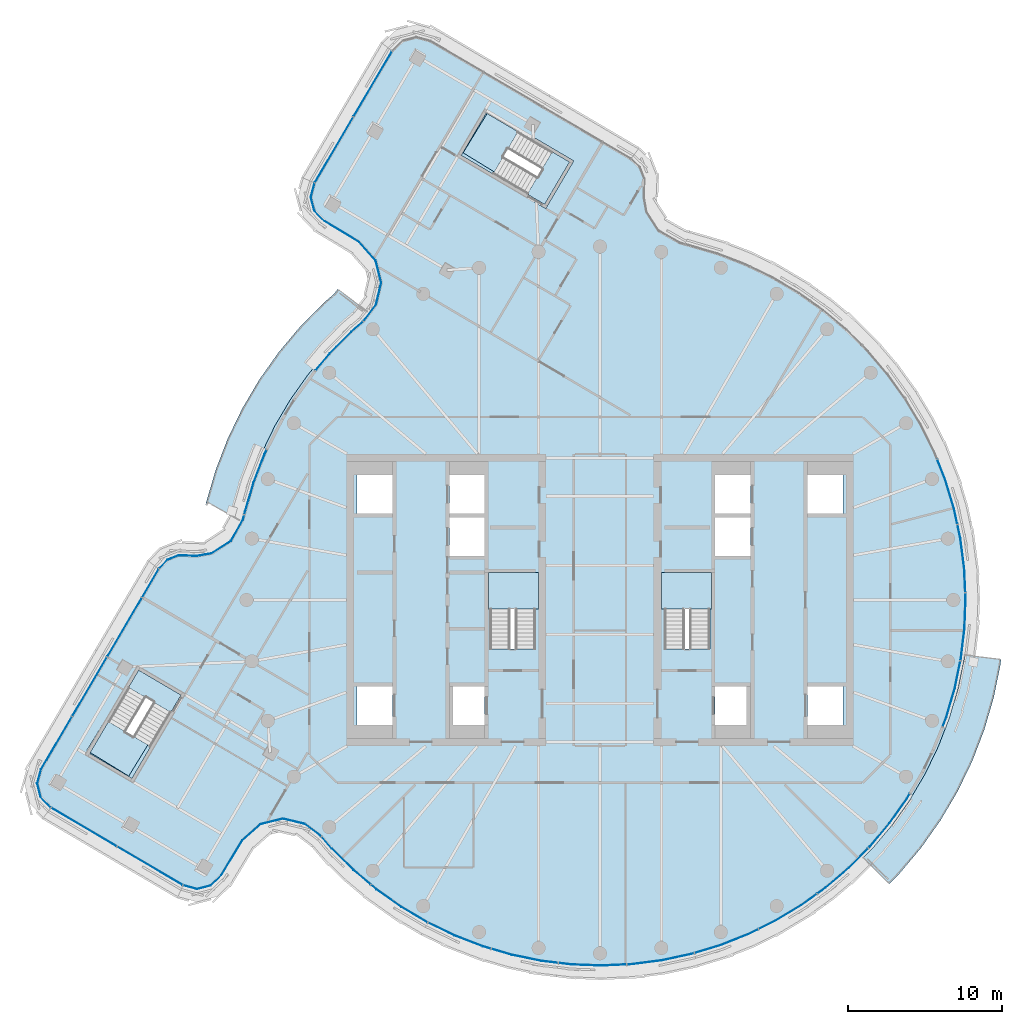
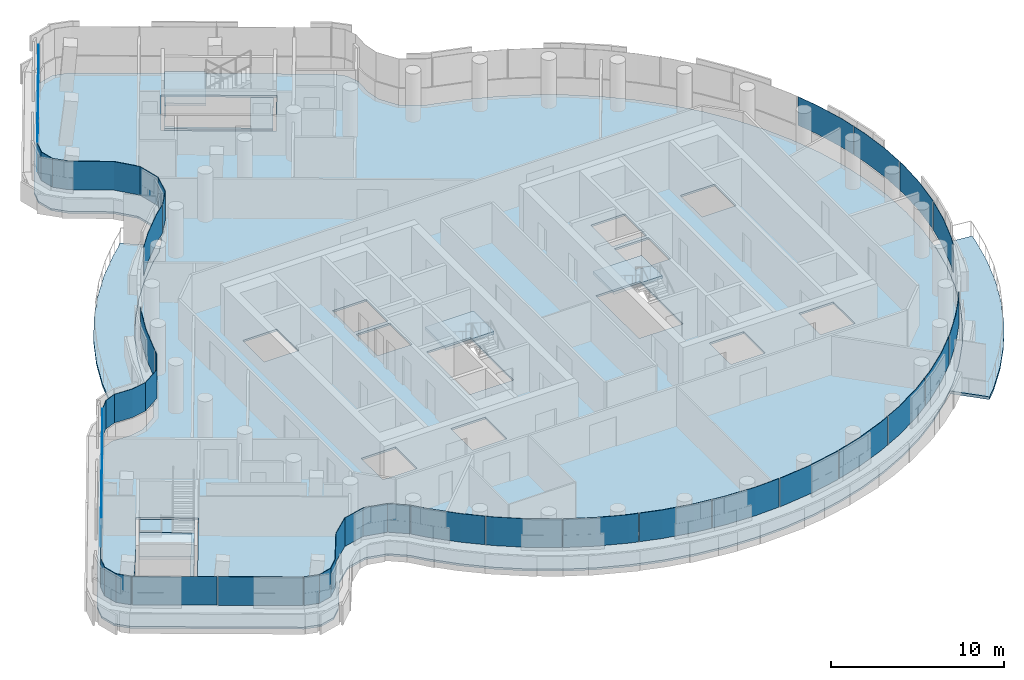
# One storey, part 15 of 26: 27 plates, 9 slabs, 9 elements without a shape of their own.
"""IFC4 building model written with IfcOpenShell, lengths in metres."""

from ifc_helpers import new_model, si_unit, direction, frame, origin, place, context, subcontext, project, spatial, polyline, outline, extrude, material, layer, layer_set, type_object, element, aggregate, save


model = new_model("IFC4")

# Units and contexts
model_context = context("Model", 3, precision=1e-05, world=origin(), true_north=direction((0.0, 1.0)))
body_context = subcontext(model_context, "Body", "Model", "MODEL_VIEW")
ifc_project = project(units=[si_unit("LENGTHUNIT", "METRE"), si_unit("AREAUNIT", "SQUARE_METRE"), si_unit("VOLUMEUNIT", "CUBIC_METRE"), si_unit("PLANEANGLEUNIT", "RADIAN"), si_unit("MASSUNIT", "GRAM", prefix="KILO")], contexts=[model_context])

# Site, building, storey
site_placement = place(None, origin())
site = spatial("IfcSite", under=ifc_project, at=site_placement, CompositionType="ELEMENT")
building_placement = place(site_placement, origin())
building = spatial("IfcBuilding", under=site, at=building_placement, Name="Tamarind Cross Interchange Tower", CompositionType="ELEMENT")
storey_placement = place(building_placement, frame((0.0, 0.0, 248.699951171875)))
storey = spatial("IfcBuildingStorey", under=building, at=storey_placement, Name="L63", CompositionType="ELEMENT", Elevation=248.699951171875)

# Slabs
ifc_material_1 = material(Name="Precast concrete C40", Category="concrete")
ifc_layer_1 = layer(ifc_material_1, 0.199951171875)
ifc_layer_set_1 = layer_set([ifc_layer_1], Name="Precast concrete C40")
slab_type_1 = type_object("IfcSlabType", Name="Balcony slab", PredefinedType="BASESLAB", material=ifc_layer_set_1)
slab_1_placement = place(storey_placement, frame((0.0, 0.0, -0.199951171875)))
element("IfcSlab", 1, at=slab_1_placement, inside=storey, type_object=slab_type_1, Name="SLB-L63-BAL01", PredefinedType="BASESLAB", context=body_context, shape_type="SweptSolid", body=[
    extrude(outline(polyline([(17.136474609375, -16.7685546875), (17.72412109375, -16.17578125), (18.99951171875, -14.656982421875), (20.14501953125, -13.0380859375), (21.15283203125, -11.329833984375), (22.01611328125, -9.54443359375), (22.72900390625, -7.69384765625), (23.286865234375, -5.79052734375), (23.685546875, -3.84765625), (23.716552734375, -3.58837890625), (26.099365234375, -3.875), (26.056396484375, -4.23291015625), (25.617919921875, -6.3701171875), (25.00439453125, -8.4638671875), (24.219970703125, -10.499755859375), (23.270263671875, -12.464111328125), (22.161376953125, -14.343017578125), (20.9013671875, -16.124267578125), (19.498291015625, -17.795166015625), (18.8408203125, -18.458251953125), (17.136474609375, -16.7685546875)])), origin(), (0.0, 0.0, 1.0), 0.199951171875),
])
slab_2_placement = place(storey_placement, frame((0.0, 0.0, -0.199951171875)))
element("IfcSlab", 2, at=slab_2_placement, inside=storey, type_object=slab_type_1, Name="SLB-L63-BAL04", PredefinedType="BASESLAB", context=body_context, shape_type="SweptSolid", body=[
    extrude(outline(polyline([(-15.15185546875, 18.774658203125), (-15.5458984375, 18.2578125), (-16.327880859375, 17.584228515625), (-17.72412109375, 16.17578125), (-18.99951171875, 14.656982421875), (-20.14501953125, 13.0380859375), (-21.15283203125, 11.329833984375), (-22.01611328125, 9.54443359375), (-22.72900390625, 7.69384765625), (-23.286865234375, 5.79052734375), (-23.420654296875, 5.2880859375), (-23.47119140625, 5.19873046875), (-25.558837890625, 6.382568359375), (-25.660400390625, 6.20361328125), (-25.598388671875, 6.436767578125), (-25.00439453125, 8.4638671875), (-24.219970703125, 10.499755859375), (-23.270263671875, 12.464111328125), (-22.161376953125, 14.343017578125), (-20.9013671875, 16.124267578125), (-19.498291015625, 17.795166015625), (-17.965576171875, 19.341064453125), (-17.30224609375, 19.91259765625), (-17.060302734375, 20.229736328125), (-15.15185546875, 18.774658203125)])), origin(), (0.0, 0.0, 1.0), 0.199951171875),
])
ifc_material_2 = material(Name="Concrete C35", Category="concrete")
ifc_layer_2 = layer(ifc_material_2, 0.139892578125)
ifc_layer_set_2 = layer_set([ifc_layer_2], Name="Concrete C35")
slab_type_2 = type_object("IfcSlabType", Name="Composite slab 140 Concrete C35", PredefinedType="FLOOR", material=ifc_layer_set_2)
slab_3_placement = place(storey_placement, frame((0.0, 0.0, -0.139892578125)))
element("IfcSlab", 3, at=slab_3_placement, inside=storey, type_object=slab_type_2, Name="Floor slab L63", PredefinedType="FLOOR", context=body_context, shape_type="SweptSolid", body=[
    extrude(outline(polyline([(-28.2587890625, 2.782470703125), (-28.8623046875, 2.139404296875), (-36.552490234375, -10.9443359375), (-36.828369140625, -11.942138671875), (-36.568115234375, -12.944091796875), (-35.841796875, -13.681884765625), (-27.220703125, -18.749267578125), (-26.222900390625, -19.02490234375), (-25.220703125, -18.764892578125), (-24.483154296875, -18.03857421875), (-23.12744140625, -15.78759765625), (-21.9970703125, -14.779541015625), (-20.64404296875, -14.441162109375), (-19.28662109375, -14.761474609375), (-18.2578125, -15.5458984375), (-17.584228515625, -16.327880859375), (-16.17578125, -17.72412109375), (-14.656982421875, -18.99951171875), (-13.0380859375, -20.14501953125), (-11.329833984375, -21.15283203125), (-9.54443359375, -22.01611328125), (-7.693603515625, -22.72900390625), (-5.79052734375, -23.286865234375), (-3.84765625, -23.685546875), (-1.878662109375, -23.92236328125), (0.103271484375, -23.99560546875), (2.08447265625, -23.9052734375), (4.051513671875, -23.651611328125), (5.99072265625, -23.236083984375), (7.88916015625, -22.662109375), (9.7333984375, -21.93310546875), (11.511474609375, -21.054443359375), (13.2109375, -20.031982421875), (14.820068359375, -18.87255859375), (16.327880859375, -17.584228515625), (17.72412109375, -16.17578125), (18.99951171875, -14.656982421875), (20.14501953125, -13.0380859375), (21.15283203125, -11.329833984375), (22.01611328125, -9.54443359375), (22.72900390625, -7.693603515625), (23.286865234375, -5.79052734375), (23.685546875, -3.84765625), (23.92236328125, -1.878662109375), (23.99560546875, 0.103271484375), (23.9052734375, 2.08447265625), (23.651611328125, 4.051513671875), (23.236083984375, 5.99072265625), (22.662109375, 7.88916015625), (21.93310546875, 9.7333984375), (21.054443359375, 11.511474609375), (20.031982421875, 13.2109375), (18.87255859375, 14.820068359375), (17.584228515625, 16.327880859375), (16.17578125, 17.72412109375), (14.656982421875, 18.99951171875), (13.0380859375, 20.14501953125), (11.329833984375, 21.15283203125), (9.54443359375, 22.01611328125), (7.693603515625, 22.72900390625), (5.79052734375, 23.286865234375), (5.2880859375, 23.420654296875), (3.978515625, 24.1630859375), (3.224609375, 25.326904296875), (3.05810546875, 26.244140625), (3.103515625, 27.437255859375), (2.782470703125, 28.2587890625), (2.139404296875, 28.8623046875), (-10.9443359375, 36.552490234375), (-11.942138671875, 36.828369140625), (-12.944091796875, 36.568115234375), (-13.681884765625, 35.841796875), (-18.749267578125, 27.220703125), (-19.02490234375, 26.222900390625), (-18.764892578125, 25.220703125), (-18.03857421875, 24.483154296875), (-15.78759765625, 23.12744140625), (-14.779541015625, 21.9970703125), (-14.441162109375, 20.64404296875), (-14.761474609375, 19.28662109375), (-15.5458984375, 18.2578125), (-16.327880859375, 17.584228515625), (-17.72412109375, 16.17578125), (-18.99951171875, 14.656982421875), (-20.14501953125, 13.0380859375), (-21.15283203125, 11.329833984375), (-22.01611328125, 9.54443359375), (-22.72900390625, 7.693603515625), (-23.286865234375, 5.79052734375), (-23.420654296875, 5.2880859375), (-24.1630859375, 3.978515625), (-25.326904296875, 3.224609375), (-26.244140625, 3.05810546875), (-27.437255859375, 3.103515625), (-28.2587890625, 2.782470703125)]), holes=[polyline([(-30.090576171875, -4.2919921875), (-29.918212890625, -4.393310546875), (-27.159423828125, -6.014892578125), (-26.987060546875, -6.1162109375), (-30.382080078125, -11.892333984375), (-30.5546875, -11.791015625), (-33.313232421875, -10.16943359375), (-33.485595703125, -10.068115234375), (-33.34130859375, -9.822509765625), (-33.392333984375, -9.791015625), (-31.674072265625, -6.98583984375), (-30.090576171875, -4.2919921875)]), polyline([(-13.5, -8.125), (-15.800048828125, -8.125), (-15.800048828125, -5.625), (-13.5, -5.625), (-13.5, -8.125)]), polyline([(-7.5, -5.625), (-7.5, -8.125), (-9.800048828125, -8.125), (-9.800048828125, -5.625), (-7.5, -5.625)]), polyline([(-7.5, 2.875), (-9.800048828125, 2.875), (-9.800048828125, 5.375), (-7.5, 5.375), (-7.5, 2.875)]), polyline([(-13.5, 8.125), (-13.5, 5.625), (-15.800048828125, 5.625), (-15.800048828125, 8.125), (-13.5, 8.125)]), polyline([(-7.5, 5.625), (-9.800048828125, 5.625), (-9.800048828125, 8.125), (-7.5, 8.125), (-7.5, 5.625)]), polyline([(-9.30615234375, 28.86181640625), (-9.204833984375, 29.034423828125), (-7.583251953125, 31.793212890625), (-7.48193359375, 31.965576171875), (-7.235595703125, 31.82080078125), (-7.23291015625, 31.8251953125), (-6.98583984375, 31.674072265625), (-1.705810546875, 28.5703125), (-1.80712890625, 28.39794921875), (-3.4287109375, 25.639404296875), (-3.530029296875, 25.466796875), (-9.30615234375, 28.86181640625)]), polyline([(7.5, -8.125), (7.5, -5.625), (9.800048828125, -5.625), (9.800048828125, -8.125), (7.5, -8.125)]), polyline([(13.5, -8.125), (13.5, -5.625), (15.800048828125, -5.625), (15.800048828125, -8.125), (13.5, -8.125)]), polyline([(-7.14990234375, 1.800048828125), (-4.199951171875, 1.800048828125), (-4.199951171875, -3.18798828125), (-7.14990234375, -3.18798828125), (-7.14990234375, 1.800048828125)]), polyline([(7.14990234375, 1.800048828125), (7.14990234375, -3.18798828125), (4.199951171875, -3.18798828125), (4.199951171875, 1.800048828125), (7.14990234375, 1.800048828125)]), polyline([(7.5, 5.375), (9.800048828125, 5.375), (9.800048828125, 2.875), (7.5, 2.875), (7.5, 5.375)]), polyline([(7.5, 5.625), (7.5, 8.125), (9.800048828125, 8.125), (9.800048828125, 5.625), (7.5, 5.625)]), polyline([(13.5, 8.125), (15.800048828125, 8.125), (15.800048828125, 5.625), (13.5, 5.625), (13.5, 8.125)])]), origin(), (0.0, 0.0, 1.0), 0.139892578125),
])
slab_4_placement = place(storey_placement, frame((0.0, 0.0, -0.139892578125)))
element("IfcSlab", 4, at=slab_4_placement, inside=storey, type_object=slab_type_2, Name="Floor slab L63", PredefinedType="FLOOR", context=body_context, shape_type="SweptSolid", body=[
    extrude(outline(polyline([(-33.2119140625, -9.9970703125), (-30.453125, -11.61865234375), (-27.2607421875, -6.1875), (-30.01953125, -4.56591796875), (-30.684326171875, -5.697021484375), (-28.072265625, -7.232421875), (-30.663818359375, -11.462646484375), (-33.170654296875, -9.9267578125), (-33.2119140625, -9.9970703125)])), origin(), (0.0, 0.0, 1.0), 0.139892578125),
])
slab_5_placement = place(storey_placement, frame((0.0, 0.0, -0.139892578125)))
element("IfcSlab", 5, at=slab_5_placement, inside=storey, type_object=slab_type_2, Name="Floor slab L63", PredefinedType="FLOOR", context=body_context, shape_type="SweptSolid", body=[
    extrude(outline(polyline([(-7.410888671875, 31.691650390625), (-9.0322265625, 28.93310546875), (-3.60107421875, 25.740478515625), (-1.9794921875, 28.499267578125), (-3.039306640625, 29.122314453125), (-3.110595703125, 29.164306640625), (-4.673583984375, 26.5048828125), (-8.904296875, 29.0966796875), (-7.340087890625, 31.650146484375), (-7.410888671875, 31.691650390625)])), origin(), (0.0, 0.0, 1.0), 0.139892578125),
])

# Stair, slab
ifc_material_3 = material(Name="Exit stair")
stair_type = type_object("IfcStairType", Name="Exit stair", PredefinedType="HALF_TURN_STAIR", material=ifc_material_3)
stair_1_placement = place(storey_placement, origin())
stair_1 = element("IfcStair", 6, at=stair_1_placement, inside=storey, type_object=stair_type, Name="L63 exit stair ST1", PredefinedType="HALF_TURN_STAIR")
ifc_material_4 = material(Name="Concrete C40", Category="concrete")
ifc_layer_3 = layer(ifc_material_4, 0.199951171875)
ifc_layer_set_3 = layer_set([ifc_layer_3], Name="Concrete C40")
slab_type_3 = type_object("IfcSlabType", Name="Stair landing", PredefinedType="LANDING", material=ifc_layer_set_3)
slab_6_placement = place(storey_placement, frame((0.0, 0.0, 1.60009765625)))
slab_6 = element("IfcSlab", 7, at=slab_6_placement, type_object=slab_type_3, Name="ST1 landing 1", PredefinedType="LANDING", context=body_context, shape_type="SweptSolid", body=[
    extrude(outline(polyline([(-4.0, -0.60009765625), (-4.0, 1.800048828125), (-7.25, 1.800048828125), (-7.25, -0.60009765625), (-4.0, -0.60009765625)])), origin(), (0.0, 0.0, 1.0), 0.199951171875),
])
aggregate(stair_1, [slab_6])

stair_2_placement = place(storey_placement, origin())
stair_2 = element("IfcStair", 8, at=stair_2_placement, inside=storey, type_object=stair_type, Name="L63 exit stair ST2", PredefinedType="HALF_TURN_STAIR")
slab_7_placement = place(storey_placement, frame((0.0, 0.0, 1.60009765625)))
slab_7 = element("IfcSlab", 9, at=slab_7_placement, type_object=slab_type_3, Name="ST2 landing 1", PredefinedType="LANDING", context=body_context, shape_type="SweptSolid", body=[
    extrude(outline(polyline([(7.25, -0.60009765625), (7.25, 1.800048828125), (4.0, 1.800048828125), (4.0, -0.60009765625), (7.25, -0.60009765625)])), origin(), (0.0, 0.0, 1.0), 0.199951171875),
])
aggregate(stair_2, [slab_7])

stair_3_placement = place(storey_placement, origin())
stair_3 = element("IfcStair", 10, at=stair_3_placement, inside=storey, type_object=stair_type, Name="L63 exit stair ST4", PredefinedType="HALF_TURN_STAIR")
slab_8_placement = place(storey_placement, frame((0.0, 0.0, 1.60009765625)))
slab_8 = element("IfcSlab", 11, at=slab_8_placement, type_object=slab_type_3, Name="ST4 landing 1", PredefinedType="LANDING", context=body_context, shape_type="SweptSolid", body=[
    extrude(outline(polyline([(-5.331298828125, 30.469482421875), (-7.410888671875, 31.691650390625), (-9.0322265625, 28.93310546875), (-6.952880859375, 27.710693359375), (-5.331298828125, 30.469482421875)])), origin(), (0.0, 0.0, 1.0), 0.199951171875),
])
aggregate(stair_3, [slab_8])

stair_4_placement = place(storey_placement, origin())
stair_4 = element("IfcStair", 12, at=stair_4_placement, inside=storey, type_object=stair_type, Name="L63 exit stair ST5", PredefinedType="HALF_TURN_STAIR")
slab_9_placement = place(storey_placement, frame((0.0, 0.0, 1.60009765625)))
slab_9 = element("IfcSlab", 13, at=slab_9_placement, type_object=slab_type_3, Name="ST5 landing 1", PredefinedType="LANDING", context=body_context, shape_type="SweptSolid", body=[
    extrude(outline(polyline([(-31.98974609375, -7.917724609375), (-33.2119140625, -9.9970703125), (-30.453125, -11.61865234375), (-29.23095703125, -9.539306640625), (-31.98974609375, -7.917724609375)])), origin(), (0.0, 0.0, 1.0), 0.199951171875),
])
aggregate(stair_4, [slab_9])

# Curtain wall, plates
ifc_material_5 = material(Name="Aluminium 6063-T6", Category="aluminium")
ifc_layer_4 = layer(ifc_material_5, 0.139892578125)
ifc_layer_set_4 = layer_set([ifc_layer_4], Name="Aluminium 6063-T6")
curtain_wall_type = type_object("IfcCurtainWallType", Name="Hotel curtain wall, 4.5 m bays", PredefinedType="NOTDEFINED", material=ifc_layer_set_4)
curtain_wall_1_placement = place(storey_placement, origin())
curtain_wall_1 = element("IfcCurtainWall", 14, at=curtain_wall_1_placement, inside=storey, type_object=curtain_wall_type, Name="CWS-L63-00", PredefinedType="NOTDEFINED")
ifc_material_6 = material(Name="Laminated low-e glass 6+1.52+6", Category="glass")
ifc_layer_5 = layer(ifc_material_6, 0.02392578125)
ifc_layer_set_5 = layer_set([ifc_layer_5], Name="Laminated low-e glass 6+1.52+6")
plate_type = type_object("IfcPlateType", Name="Vision panel CW2", PredefinedType="CURTAIN_PANEL", material=ifc_layer_set_5)
plate_1_placement = place(storey_placement, frame((0.0, 0.0, 1.400146484375)))
plate_1 = element("IfcPlate", 15, at=plate_1_placement, type_object=plate_type, Name="CWP-L63-00-00", PredefinedType="CURTAIN_PANEL", context=body_context, shape_type="SweptSolid", body=[
    extrude(outline(polyline([(-35.685791015625, -13.52783203125), (-31.44970703125, -16.017578125), (-31.4619140625, -16.038330078125), (-35.697998046875, -13.54833984375), (-35.685791015625, -13.52783203125)])), origin(), (0.0, 0.0, 1.0), 2.02001953125),
])
plate_2_placement = place(storey_placement, frame((0.0, 0.0, 1.400146484375)))
plate_2 = element("IfcPlate", 16, at=plate_2_placement, type_object=plate_type, Name="CWP-L63-00-01", PredefinedType="CURTAIN_PANEL", context=body_context, shape_type="SweptSolid", body=[
    extrude(outline(polyline([(-31.39794921875, -16.048095703125), (-27.161865234375, -18.537841796875), (-27.174072265625, -18.55859375), (-31.41015625, -16.068603515625), (-31.39794921875, -16.048095703125)])), origin(), (0.0, 0.0, 1.0), 2.02001953125),
])
aggregate(curtain_wall_1, [plate_1, plate_2])

curtain_wall_2_placement = place(storey_placement, origin())
curtain_wall_2 = element("IfcCurtainWall", 17, at=curtain_wall_2_placement, inside=storey, type_object=curtain_wall_type, Name="CWS-L63-01", PredefinedType="NOTDEFINED")
plate_3_placement = place(storey_placement, frame((0.0, 0.0, 1.400146484375)))
plate_3 = element("IfcPlate", 18, at=plate_3_placement, type_object=plate_type, Name="CWP-L63-01-00", PredefinedType="CURTAIN_PANEL", context=body_context, shape_type="SweptSolid", body=[
    extrude(outline(polyline([(-27.110107421875, -18.559814453125), (-26.22119140625, -18.805419921875), (-25.3291015625, -18.573974609375), (-24.65087890625, -17.90625), (-23.29248046875, -15.65087890625), (-22.09912109375, -14.586669921875), (-20.6455078125, -14.222900390625), (-19.194091796875, -14.5654296875), (-18.142822265625, -15.366943359375), (-18.1572265625, -15.385986328125), (-19.20458984375, -14.587646484375), (-20.6455078125, -14.24755859375), (-22.087646484375, -14.6083984375), (-23.273681640625, -15.666259765625), (-24.6318359375, -17.921142578125), (-25.31689453125, -18.595458984375), (-26.221435546875, -18.830322265625), (-27.116455078125, -18.5830078125), (-27.110107421875, -18.559814453125)])), origin(), (0.0, 0.0, 1.0), 2.02001953125),
])
plate_4_placement = place(storey_placement, frame((0.0, 0.0, 1.400146484375)))
plate_4 = element("IfcPlate", 19, at=plate_4_placement, type_object=plate_type, Name="CWP-L63-01-01", PredefinedType="CURTAIN_PANEL", context=body_context, shape_type="SweptSolid", body=[
    extrude(outline(polyline([(-18.096435546875, -15.408447265625), (-17.42919921875, -16.18310546875), (-16.032958984375, -17.5673828125), (-14.927490234375, -18.495361328125), (-14.94287109375, -18.513916015625), (-16.049072265625, -17.585205078125), (-17.44677734375, -16.199462890625), (-18.114501953125, -15.424072265625), (-18.096435546875, -15.408447265625)])), origin(), (0.0, 0.0, 1.0), 2.02001953125),
])
plate_5_placement = place(storey_placement, frame((0.0, 0.0, 1.400146484375)))
plate_5 = element("IfcPlate", 20, at=plate_5_placement, type_object=plate_type, Name="CWP-L63-01-02", PredefinedType="CURTAIN_PANEL", context=body_context, shape_type="SweptSolid", body=[
    extrude(outline(polyline([(-14.881591796875, -18.533935546875), (-14.52734375, -18.83154296875), (-12.922607421875, -19.966796875), (-11.229736328125, -20.9658203125), (-11.220947265625, -20.969970703125), (-11.2314453125, -20.991455078125), (-11.240966796875, -20.98681640625), (-12.935791015625, -19.987060546875), (-14.5419921875, -18.850341796875), (-14.89697265625, -18.552490234375), (-14.881591796875, -18.533935546875)])), origin(), (0.0, 0.0, 1.0), 2.02001953125),
])
plate_6_placement = place(storey_placement, frame((0.0, 0.0, 1.400146484375)))
plate_6 = element("IfcPlate", 21, at=plate_6_placement, type_object=plate_type, Name="CWP-L63-01-03", PredefinedType="CURTAIN_PANEL", context=body_context, shape_type="SweptSolid", body=[
    extrude(outline(polyline([(-11.1669921875, -20.99609375), (-9.4599609375, -21.821533203125), (-7.625732421875, -22.528076171875), (-7.104248046875, -22.680908203125), (-7.111083984375, -22.703857421875), (-7.63330078125, -22.55078125), (-9.469482421875, -21.843505859375), (-11.177490234375, -21.017578125), (-11.1669921875, -20.99609375)])), origin(), (0.0, 0.0, 1.0), 2.02001953125),
])
plate_7_placement = place(storey_placement, frame((0.0, 0.0, 1.400146484375)))
plate_7 = element("IfcPlate", 22, at=plate_7_placement, type_object=plate_type, Name="CWP-L63-01-04", PredefinedType="CURTAIN_PANEL", context=body_context, shape_type="SweptSolid", body=[
    extrude(outline(polyline([(-7.046875, -22.69775390625), (-5.7392578125, -23.080810546875), (-3.813720703125, -23.47607421875), (-2.744384765625, -23.604736328125), (-2.7470703125, -23.62841796875), (-3.817626953125, -23.499755859375), (-5.7451171875, -23.104248046875), (-7.053466796875, -22.720703125), (-7.046875, -22.69775390625)])), origin(), (0.0, 0.0, 1.0), 2.02001953125),
])
plate_8_placement = place(storey_placement, frame((0.0, 0.0, 1.400146484375)))
plate_8 = element("IfcPlate", 23, at=plate_8_placement, type_object=plate_type, Name="CWP-L63-01-05", PredefinedType="CURTAIN_PANEL", context=body_context, shape_type="SweptSolid", body=[
    extrude(outline(polyline([(-2.684814453125, -23.61181640625), (-1.862060546875, -23.710693359375), (0.102294921875, -23.783447265625), (1.71142578125, -23.7099609375), (1.712646484375, -23.734130859375), (0.1025390625, -23.8076171875), (-1.864013671875, -23.734619140625), (-2.6875, -23.6357421875), (-2.684814453125, -23.61181640625)])), origin(), (0.0, 0.0, 1.0), 2.02001953125),
])
plate_9_placement = place(storey_placement, frame((0.0, 0.0, 1.400146484375)))
plate_9 = element("IfcPlate", 24, at=plate_9_placement, type_object=plate_type, Name="CWP-L63-01-06", PredefinedType="CURTAIN_PANEL", context=body_context, shape_type="SweptSolid", body=[
    extrude(outline(polyline([(1.771484375, -23.707275390625), (2.06591796875, -23.69384765625), (4.015625, -23.4423828125), (5.937744140625, -23.03076171875), (6.107421875, -22.979248046875), (6.1142578125, -23.00244140625), (5.94384765625, -23.053955078125), (4.019775390625, -23.466064453125), (2.068115234375, -23.7177734375), (1.7724609375, -23.731201171875), (1.771484375, -23.707275390625)])), origin(), (0.0, 0.0, 1.0), 2.02001953125),
])
plate_10_placement = place(storey_placement, frame((0.0, 0.0, 1.400146484375)))
plate_10 = element("IfcPlate", 25, at=plate_10_placement, type_object=plate_type, Name="CWP-L63-01-07", PredefinedType="CURTAIN_PANEL", context=body_context, shape_type="SweptSolid", body=[
    extrude(outline(polyline([(6.164794921875, -22.9619140625), (7.8193359375, -22.461669921875), (9.6474609375, -21.7392578125), (10.284912109375, -21.42431640625), (10.29541015625, -21.44580078125), (9.6572265625, -21.76123046875), (7.8271484375, -22.484375), (6.171630859375, -22.98486328125), (6.164794921875, -22.9619140625)])), origin(), (0.0, 0.0, 1.0), 2.02001953125),
])
plate_11_placement = place(storey_placement, frame((0.0, 0.0, 1.400146484375)))
plate_11 = element("IfcPlate", 26, at=plate_11_placement, type_object=plate_type, Name="CWP-L63-01-08", PredefinedType="CURTAIN_PANEL", context=body_context, shape_type="SweptSolid", body=[
    extrude(outline(polyline([(10.338623046875, -21.397705078125), (11.40966796875, -20.868408203125), (13.093994140625, -19.854736328125), (14.103759765625, -19.127197265625), (14.117919921875, -19.146728515625), (13.107177734375, -19.874755859375), (11.421142578125, -20.889404296875), (10.34912109375, -21.419189453125), (10.338623046875, -21.397705078125)])), origin(), (0.0, 0.0, 1.0), 2.02001953125),
])
plate_12_placement = place(storey_placement, frame((0.0, 0.0, 1.400146484375)))
plate_12 = element("IfcPlate", 27, at=plate_12_placement, type_object=plate_type, Name="CWP-L63-01-09", PredefinedType="CURTAIN_PANEL", context=body_context, shape_type="SweptSolid", body=[
    extrude(outline(polyline([(14.152587890625, -19.09228515625), (14.68896484375, -18.705810546875), (16.183349609375, -17.4287109375), (17.435546875, -16.166015625), (17.452392578125, -16.182861328125), (16.19970703125, -17.4462890625), (14.703857421875, -18.724609375), (14.16650390625, -19.111572265625), (14.152587890625, -19.09228515625)])), origin(), (0.0, 0.0, 1.0), 2.02001953125),
])
plate_13_placement = place(storey_placement, frame((0.0, 0.0, 1.400146484375)))
plate_13 = element("IfcPlate", 28, at=plate_13_placement, type_object=plate_type, Name="CWP-L63-01-10", PredefinedType="CURTAIN_PANEL", context=body_context, shape_type="SweptSolid", body=[
    extrude(outline(polyline([(17.477783203125, -16.123291015625), (17.5673828125, -16.032958984375), (18.83154296875, -14.52734375), (19.966796875, -12.922607421875), (20.141845703125, -12.625732421875), (20.16259765625, -12.637939453125), (19.987060546875, -12.935791015625), (18.850341796875, -14.5419921875), (17.585205078125, -16.049072265625), (17.494873046875, -16.140380859375), (17.477783203125, -16.123291015625)])), origin(), (0.0, 0.0, 1.0), 2.02001953125),
])
plate_14_placement = place(storey_placement, frame((0.0, 0.0, 1.400146484375)))
plate_14 = element("IfcPlate", 29, at=plate_14_placement, type_object=plate_type, Name="CWP-L63-01-12", PredefinedType="CURTAIN_PANEL", context=body_context, shape_type="SweptSolid", body=[
    extrude(outline(polyline([(22.2919921875, -8.23828125), (22.528076171875, -7.625732421875), (23.080810546875, -5.7392578125), (23.439208984375, -3.992919921875), (23.462890625, -3.99755859375), (23.104248046875, -5.7451171875), (22.55078125, -7.63330078125), (22.314453125, -8.2470703125), (22.2919921875, -8.23828125)])), origin(), (0.0, 0.0, 1.0), 2.02001953125),
])
plate_15_placement = place(storey_placement, frame((0.0, 0.0, 1.400146484375)))
plate_15 = element("IfcPlate", 30, at=plate_15_placement, type_object=plate_type, Name="CWP-L63-01-13", PredefinedType="CURTAIN_PANEL", context=body_context, shape_type="SweptSolid", body=[
    extrude(outline(polyline([(23.451416015625, -3.93408203125), (23.47607421875, -3.813720703125), (23.710693359375, -1.862060546875), (23.783447265625, 0.102294921875), (23.767578125, 0.451171875), (23.79150390625, 0.452392578125), (23.8076171875, 0.1025390625), (23.734619140625, -1.864013671875), (23.499755859375, -3.817626953125), (23.474853515625, -3.93896484375), (23.451416015625, -3.93408203125)])), origin(), (0.0, 0.0, 1.0), 2.02001953125),
])
plate_16_placement = place(storey_placement, frame((0.0, 0.0, 1.400146484375)))
plate_16 = element("IfcPlate", 31, at=plate_16_placement, type_object=plate_type, Name="CWP-L63-01-14", PredefinedType="CURTAIN_PANEL", context=body_context, shape_type="SweptSolid", body=[
    extrude(outline(polyline([(23.764892578125, 0.51123046875), (23.69384765625, 2.06591796875), (23.4423828125, 4.015625), (23.25732421875, 4.879150390625), (23.28076171875, 4.884033203125), (23.466064453125, 4.019775390625), (23.7177734375, 2.068115234375), (23.788818359375, 0.51220703125), (23.764892578125, 0.51123046875)])), origin(), (0.0, 0.0, 1.0), 2.02001953125),
])
plate_17_placement = place(storey_placement, frame((0.0, 0.0, 1.400146484375)))
plate_17 = element("IfcPlate", 32, at=plate_17_placement, type_object=plate_type, Name="CWP-L63-01-15", PredefinedType="CURTAIN_PANEL", context=body_context, shape_type="SweptSolid", body=[
    extrude(outline(polyline([(23.244873046875, 4.937744140625), (23.03076171875, 5.937744140625), (22.461669921875, 7.8193359375), (21.94091796875, 9.136962890625), (21.96337890625, 9.145751953125), (22.484375, 7.8271484375), (23.053955078125, 5.94384765625), (23.268310546875, 4.942626953125), (23.244873046875, 4.937744140625)])), origin(), (0.0, 0.0, 1.0), 2.02001953125),
])
aggregate(curtain_wall_2, [plate_3, plate_4, plate_5, plate_6, plate_7, plate_8, plate_9, plate_10, plate_11, plate_12, plate_13, plate_14, plate_15, plate_16, plate_17])

curtain_wall_3_placement = place(storey_placement, origin())
curtain_wall_3 = element("IfcCurtainWall", 33, at=curtain_wall_3_placement, inside=storey, type_object=curtain_wall_type, Name="CWS-L63-03", PredefinedType="NOTDEFINED")
plate_18_placement = place(storey_placement, frame((0.0, 0.0, 1.400146484375)))
plate_18 = element("IfcPlate", 34, at=plate_18_placement, type_object=plate_type, Name="CWP-L63-03-00", PredefinedType="CURTAIN_PANEL", context=body_context, shape_type="SweptSolid", body=[
    extrude(outline(polyline([(-13.52783203125, 35.685791015625), (-16.017578125, 31.44970703125), (-16.038330078125, 31.4619140625), (-13.54833984375, 35.697998046875), (-13.52783203125, 35.685791015625)])), origin(), (0.0, 0.0, 1.0), 2.02001953125),
])
plate_19_placement = place(storey_placement, frame((0.0, 0.0, 1.400146484375)))
plate_19 = element("IfcPlate", 35, at=plate_19_placement, type_object=plate_type, Name="CWP-L63-03-01", PredefinedType="CURTAIN_PANEL", context=body_context, shape_type="SweptSolid", body=[
    extrude(outline(polyline([(-16.048095703125, 31.39794921875), (-18.537841796875, 27.161865234375), (-18.55859375, 27.174072265625), (-16.068603515625, 31.41015625), (-16.048095703125, 31.39794921875)])), origin(), (0.0, 0.0, 1.0), 2.02001953125),
])
aggregate(curtain_wall_3, [plate_18, plate_19])

curtain_wall_4_placement = place(storey_placement, origin())
curtain_wall_4 = element("IfcCurtainWall", 36, at=curtain_wall_4_placement, inside=storey, type_object=curtain_wall_type, Name="CWS-L63-04", PredefinedType="NOTDEFINED")
plate_20_placement = place(storey_placement, frame((0.0, 0.0, 1.400146484375)))
plate_20 = element("IfcPlate", 37, at=plate_20_placement, type_object=plate_type, Name="CWP-L63-04-00", PredefinedType="CURTAIN_PANEL", context=body_context, shape_type="SweptSolid", body=[
    extrude(outline(polyline([(-18.559814453125, 27.110107421875), (-18.805419921875, 26.22119140625), (-18.573974609375, 25.3291015625), (-17.90625, 24.65087890625), (-15.65087890625, 23.29248046875), (-14.586669921875, 22.09912109375), (-14.222900390625, 20.6455078125), (-14.5654296875, 19.194091796875), (-15.366943359375, 18.142822265625), (-15.385986328125, 18.1572265625), (-14.587646484375, 19.20458984375), (-14.24755859375, 20.6455078125), (-14.6083984375, 22.087646484375), (-15.666259765625, 23.273681640625), (-17.921142578125, 24.6318359375), (-18.595458984375, 25.31689453125), (-18.830322265625, 26.221435546875), (-18.5830078125, 27.116455078125), (-18.559814453125, 27.110107421875)])), origin(), (0.0, 0.0, 1.0), 2.02001953125),
])
plate_21_placement = place(storey_placement, frame((0.0, 0.0, 1.400146484375)))
plate_21 = element("IfcPlate", 38, at=plate_21_placement, type_object=plate_type, Name="CWP-L63-04-01", PredefinedType="CURTAIN_PANEL", context=body_context, shape_type="SweptSolid", body=[
    extrude(outline(polyline([(-15.408447265625, 18.096435546875), (-16.18310546875, 17.42919921875), (-17.5673828125, 16.032958984375), (-18.495361328125, 14.927490234375), (-18.513916015625, 14.94287109375), (-17.585205078125, 16.049072265625), (-16.199462890625, 17.44677734375), (-15.424072265625, 18.114501953125), (-15.408447265625, 18.096435546875)])), origin(), (0.0, 0.0, 1.0), 2.02001953125),
])
plate_22_placement = place(storey_placement, frame((0.0, 0.0, 1.400146484375)))
plate_22 = element("IfcPlate", 39, at=plate_22_placement, type_object=plate_type, Name="CWP-L63-04-03", PredefinedType="CURTAIN_PANEL", context=body_context, shape_type="SweptSolid", body=[
    extrude(outline(polyline([(-21.681396484375, 9.74951171875), (-21.821533203125, 9.4599609375), (-22.528076171875, 7.625732421875), (-23.08251953125, 5.7333984375), (-23.1240234375, 5.57763671875), (-23.147216796875, 5.583984375), (-23.105712890625, 5.73974609375), (-22.55078125, 7.63330078125), (-21.843505859375, 9.469482421875), (-21.703125, 9.759765625), (-21.681396484375, 9.74951171875)])), origin(), (0.0, 0.0, 1.0), 2.02001953125),
])
plate_23_placement = place(storey_placement, frame((0.0, 0.0, 1.400146484375)))
plate_23 = element("IfcPlate", 40, at=plate_23_placement, type_object=plate_type, Name="CWP-L63-04-04", PredefinedType="CURTAIN_PANEL", context=body_context, shape_type="SweptSolid", body=[
    extrude(outline(polyline([(-23.139404296875, 5.519775390625), (-23.22265625, 5.20703125), (-24.00439453125, 3.82861328125), (-25.2470703125, 3.023681640625), (-26.22900390625, 2.845458984375), (-27.401123046875, 2.889892578125), (-28.136962890625, 2.602294921875), (-28.671875, 2.032470703125), (-28.689208984375, 2.048828125), (-28.150634765625, 2.622802734375), (-27.4052734375, 2.9140625), (-26.230712890625, 2.86962890625), (-25.256103515625, 3.04638671875), (-24.0224609375, 3.845703125), (-23.2451171875, 5.21630859375), (-23.16259765625, 5.52587890625), (-23.139404296875, 5.519775390625)])), origin(), (0.0, 0.0, 1.0), 2.02001953125),
])
aggregate(curtain_wall_4, [plate_20, plate_21, plate_22, plate_23])

curtain_wall_5_placement = place(storey_placement, origin())
curtain_wall_5 = element("IfcCurtainWall", 41, at=curtain_wall_5_placement, inside=storey, type_object=curtain_wall_type, Name="CWS-L63-05", PredefinedType="NOTDEFINED")
plate_24_placement = place(storey_placement, frame((0.0, 0.0, 1.400146484375)))
plate_24 = element("IfcPlate", 42, at=plate_24_placement, type_object=plate_type, Name="CWP-L63-05-00", PredefinedType="CURTAIN_PANEL", context=body_context, shape_type="SweptSolid", body=[
    extrude(outline(polyline([(-28.7060546875, 1.98681640625), (-29.77001953125, 0.17626953125), (-29.790771484375, 0.1884765625), (-28.7265625, 1.9990234375), (-28.7060546875, 1.98681640625)])), origin(), (0.0, 0.0, 1.0), 2.02001953125),
])
plate_25_placement = place(storey_placement, frame((0.0, 0.0, 1.400146484375)))
plate_25 = element("IfcPlate", 43, at=plate_25_placement, type_object=plate_type, Name="CWP-L63-05-01", PredefinedType="CURTAIN_PANEL", context=body_context, shape_type="SweptSolid", body=[
    extrude(outline(polyline([(-29.800537109375, 0.12451171875), (-32.043212890625, -3.690673828125), (-32.063720703125, -3.678466796875), (-29.8212890625, 0.13671875), (-29.800537109375, 0.12451171875)])), origin(), (0.0, 0.0, 1.0), 2.02001953125),
])
plate_26_placement = place(storey_placement, frame((0.0, 0.0, 1.400146484375)))
plate_26 = element("IfcPlate", 44, at=plate_26_placement, type_object=plate_type, Name="CWP-L63-05-02", PredefinedType="CURTAIN_PANEL", context=body_context, shape_type="SweptSolid", body=[
    extrude(outline(polyline([(-32.073486328125, -3.742431640625), (-34.316162109375, -7.5576171875), (-34.336669921875, -7.545654296875), (-32.09423828125, -3.730224609375), (-32.073486328125, -3.742431640625)])), origin(), (0.0, 0.0, 1.0), 2.02001953125),
])
plate_27_placement = place(storey_placement, frame((0.0, 0.0, 1.400146484375)))
plate_27 = element("IfcPlate", 45, at=plate_27_placement, type_object=plate_type, Name="CWP-L63-05-03", PredefinedType="CURTAIN_PANEL", context=body_context, shape_type="SweptSolid", body=[
    extrude(outline(polyline([(-34.346435546875, -7.609375), (-36.355712890625, -11.027587890625), (-36.60888671875, -11.94384765625), (-36.377197265625, -12.8359375), (-35.730224609375, -13.4931640625), (-35.747314453125, -13.510009765625), (-36.39892578125, -12.84814453125), (-36.633544921875, -11.943603515625), (-36.3779296875, -11.018310546875), (-34.3671875, -7.597412109375), (-34.346435546875, -7.609375)])), origin(), (0.0, 0.0, 1.0), 2.02001953125),
])
aggregate(curtain_wall_5, [plate_24, plate_25, plate_26, plate_27])

save(model, "model.ifc")
